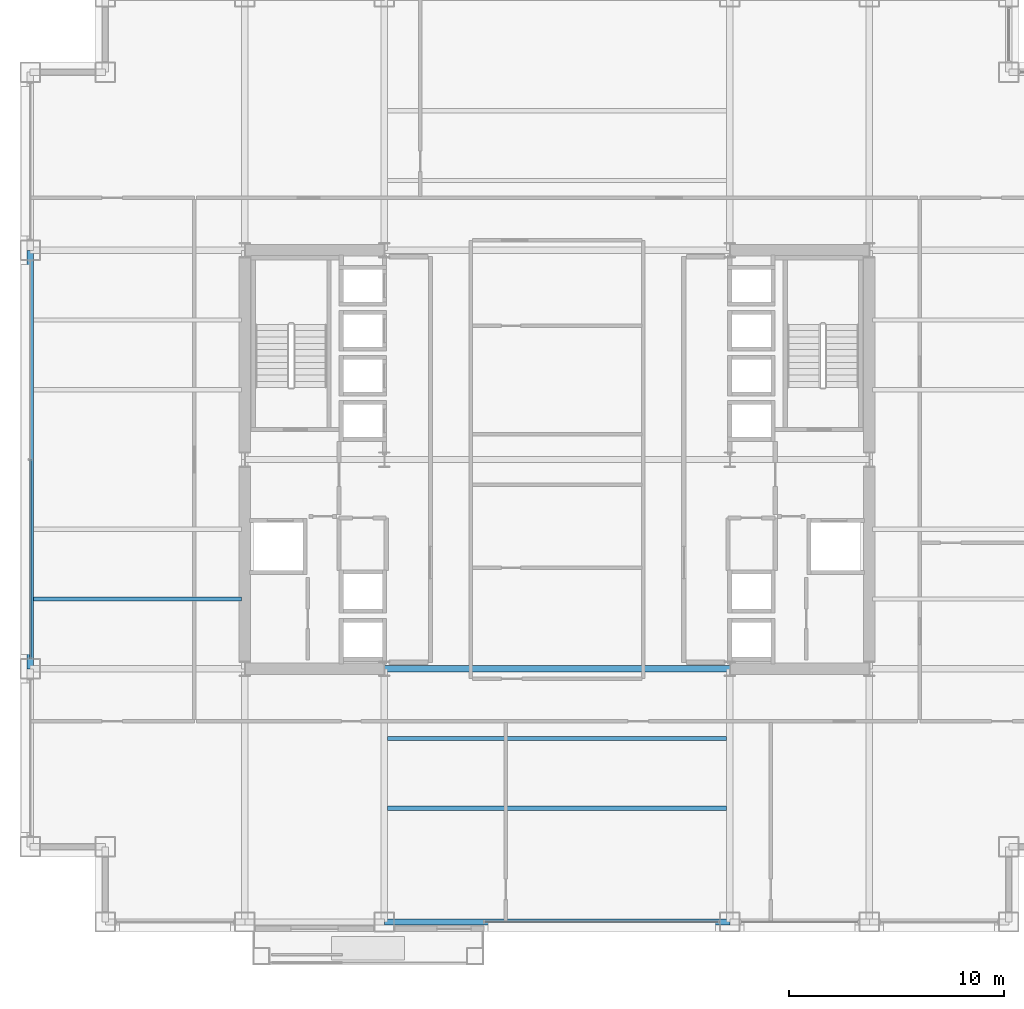
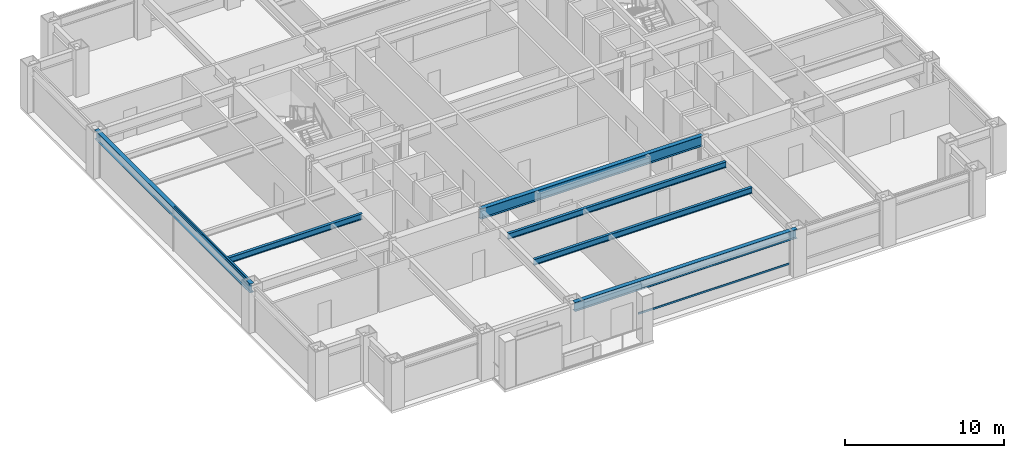
# One storey, part 6 of 31: 6 beams, 2 members, 2 elements without a shape of their own.
"""IFC4 building model written with IfcOpenShell, lengths in metres."""

import ifcopenshell
import ifcopenshell.guid

model = None  # the IFC model being written
_history = None  # IfcOwnerHistory: only IFC2X3 demands one
_inside = {}  # id of a spatial element -> (the spatial element, [elements in it])
_under = {}  # id of a project, library or spatial element -> (it, [spatial elements below it])
_declared = {}  # id of a project -> (the project, [libraries it declares])
_typed = {}  # id of a type object -> (the type object, [elements of that type])
_made_of = {}  # id of a material, layer set ... -> (it, [elements and type objects made of it])


def new_model(schema):
    """Start an empty IFC model of exactly this schema.

    Asked for "IFC4X3", IfcOpenShell would pick the latest addendum, in which some entities
    have other attributes; the version numbers below select the first issue.
    IFC2X3 requires an IfcOwnerHistory on every rooted entity: one is made here for all.
    """
    global model, _history
    if schema == "IFC4X3":
        model = ifcopenshell.file(schema_version=(4, 3, 0, 0))
    else:
        model = ifcopenshell.file(schema=schema)
    _inside.clear()
    _under.clear()
    _declared.clear()
    _typed.clear()
    _made_of.clear()
    _history = None
    if model.schema == "IFC2X3":
        org = make("IfcOrganization", Name="unknown")
        user = make(
            "IfcPersonAndOrganization",
            ThePerson=make("IfcPerson", FamilyName="unknown"),
            TheOrganization=org,
        )
        app = make(
            "IfcApplication",
            ApplicationDeveloper=org,
            Version="unknown",
            ApplicationFullName="unknown",
            ApplicationIdentifier="unknown",
        )
        _history = make(
            "IfcOwnerHistory",
            OwningUser=user,
            OwningApplication=app,
            ChangeAction="ADDED",
            CreationDate=0,
        )
    return model


def make(cls, **values):
    """One entity of the class cls with the attributes given. An attribute that is None is left unset."""
    return model.create_entity(
        cls, **{name: value for name, value in values.items() if value is not None}
    )


def rooted(cls, **values):
    """An entity with a GlobalId (a new one), such as an element, a storey or a relation."""
    return make(cls, GlobalId=ifcopenshell.guid.new(), OwnerHistory=_history, **values)


def si_unit(unit_type, name, prefix=None):
    """IfcSIUnit, for example si_unit("LENGTHUNIT", "METRE", prefix="MILLI")."""
    return make("IfcSIUnit", UnitType=unit_type, Prefix=prefix, Name=name)


def assignment(units):
    """IfcUnitAssignment: the units of a project."""
    return None if units is None else make("IfcUnitAssignment", Units=units)


def point(xyz):
    """IfcCartesianPoint."""
    return None if xyz is None else make("IfcCartesianPoint", Coordinates=xyz)


def direction(xyz):
    """IfcDirection."""
    return None if xyz is None else make("IfcDirection", DirectionRatios=xyz)


def frame(location, z_axis=None, x_axis=None):
    """IfcAxis2Placement3D, a coordinate frame: its origin and axes. An axis left out is left unset."""
    return make(
        "IfcAxis2Placement3D",
        Location=point(location),
        Axis=direction(z_axis),
        RefDirection=direction(x_axis),
    )


def frame_2d(location, x_axis=None):
    """IfcAxis2Placement2D, a coordinate frame in the plane: its origin and x axis."""
    return make(
        "IfcAxis2Placement2D", Location=point(location), RefDirection=direction(x_axis)
    )


def origin():
    """The frame at (0, 0, 0) with its axes left unset."""
    return frame((0.0, 0.0, 0.0))


def origin_2d():
    """The frame at (0, 0) in the plane with its x axis left unset."""
    return frame_2d((0.0, 0.0))


def place(relative_to, where):
    """IfcLocalPlacement: puts the frame where relative to a parent placement (None: the world)."""
    return make(
        "IfcLocalPlacement", PlacementRelTo=relative_to, RelativePlacement=where
    )


def context(
    kind, dimensions, precision=None, world=None, true_north=None, identifier=None
):
    """IfcGeometricRepresentationContext, for example the 3D "Model" context."""
    return make(
        "IfcGeometricRepresentationContext",
        ContextIdentifier=identifier,
        ContextType=kind,
        CoordinateSpaceDimension=dimensions,
        Precision=precision,
        WorldCoordinateSystem=world,
        TrueNorth=true_north,
    )


def subcontext(parent, identifier, kind, view, scale=None):
    """IfcGeometricRepresentationSubContext, for example "Body" below "Model"."""
    return make(
        "IfcGeometricRepresentationSubContext",
        ContextIdentifier=identifier,
        ContextType=kind,
        ParentContext=parent,
        TargetScale=scale,
        TargetView=view,
    )


def project(units=None, contexts=None):
    """IfcProject with its units and contexts."""
    return rooted(
        "IfcProject",
        Name="project",
        RepresentationContexts=contexts,
        UnitsInContext=assignment(units),
    )


def spatial(cls, under=None, at=None, **own):
    """A site, building, storey or space (cls), placed at a placement, below another one or the project."""
    s = rooted(cls, ObjectPlacement=at, **own)
    if under is not None:
        _under.setdefault(under.id(), (under, []))[1].append(s)
    return s


def profile(cls, at=None, kind="AREA", **sizes):
    """A parametric profile (cls). Its sizes go by their IFC names, for example OverallWidth=200.0."""
    return make(cls, ProfileType=kind, Position=at, **sizes)


def hollow_rectangle(**sizes):
    """IfcRectangleHollowProfileDef."""
    return profile("IfcRectangleHollowProfileDef", **sizes)


def i_section(**sizes):
    """IfcIShapeProfileDef."""
    return profile("IfcIShapeProfileDef", **sizes)


def extrude(swept, where, along, depth):
    """IfcExtrudedAreaSolid: the profile swept, set in the frame where, extruded along a direction by depth."""
    return make(
        "IfcExtrudedAreaSolid",
        SweptArea=swept,
        Position=where,
        ExtrudedDirection=direction(along),
        Depth=depth,
    )


def shape(context_of_items, identifier, shape_type, items):
    """IfcShapeRepresentation: the items that make up one representation, for example the "Body"."""
    return make(
        "IfcShapeRepresentation",
        ContextOfItems=context_of_items,
        RepresentationIdentifier=identifier,
        RepresentationType=shape_type,
        Items=items,
    )


def material(Name=None, Category=None):
    """IfcMaterial."""
    return make("IfcMaterial", Name=Name, Category=Category)


def layer(
    of_material, thickness, ventilated=None, Name=None, Category=None, Priority=None
):
    """IfcMaterialLayer: one layer of a wall or slab, of a material (None: an air gap)."""
    return make(
        "IfcMaterialLayer",
        Material=of_material,
        LayerThickness=thickness,
        IsVentilated=ventilated,
        Name=Name,
        Category=Category,
        Priority=Priority,
    )


def layer_set(layers, Name=None):
    """IfcMaterialLayerSet."""
    return make("IfcMaterialLayerSet", MaterialLayers=layers, LayerSetName=Name)


def material_profile(
    of_material, cross_section, Name=None, Category=None, Priority=None
):
    """IfcMaterialProfile: a cross section and its material."""
    return make(
        "IfcMaterialProfile",
        Name=Name,
        Material=of_material,
        Profile=cross_section,
        Priority=Priority,
        Category=Category,
    )


def profile_set(profiles, Name=None, composite=None):
    """IfcMaterialProfileSet."""
    return make(
        "IfcMaterialProfileSet",
        Name=Name,
        MaterialProfiles=profiles,
        CompositeProfile=composite,
    )


def made_of(thing, what):
    """Note that an element or type object is made of a material, layer set ...; save() writes the relation."""
    if what is not None:
        _made_of.setdefault(what.id(), (what, []))[1].append(thing)
    return thing


def type_object(cls, material=None, **own):
    """A type object (cls), such as IfcWallType, which elements share."""
    return made_of(rooted(cls, **own), material)


def element(
    cls,
    number,
    at=None,
    inside=None,
    cuts=None,
    type_object=None,
    material=None,
    context=None,
    identifier="Body",
    shape_type=None,
    held_by="IfcProductDefinitionShape",
    body=None,
    shapes=None,
    **own,
):
    """One element of the class cls, such as IfcWall. Its Tag is "e" and its number.

    at: its placement. inside: the storey or other place that contains it. cuts: it is an
    opening in that element (IfcRelVoidsElement). A single representation is given by context,
    identifier, shape_type and body (its items); several are given by shapes. held_by: the class
    of the entity that holds the representations. save() writes the other relations.
    """
    e = rooted(cls, Tag="e%d" % number, ObjectPlacement=at, **own)
    if body is not None:
        shapes = [shape(context, identifier, shape_type, body)]
    if shapes is not None:
        e.Representation = make(held_by, Representations=shapes)
    if inside is not None:
        _inside.setdefault(inside.id(), (inside, []))[1].append(e)
    if cuts is not None:
        rooted(
            "IfcRelVoidsElement", RelatingBuildingElement=cuts, RelatedOpeningElement=e
        )
    if type_object is not None:
        _typed.setdefault(type_object.id(), (type_object, []))[1].append(e)
    return made_of(e, material)


def aggregate(whole, parts):
    """IfcRelAggregates: a whole, such as a stair, and the parts it consists of."""
    return rooted("IfcRelAggregates", RelatingObject=whole, RelatedObjects=parts)


def save(model, path):
    """Write the relations noted so far, then the file.

    IfcRelAggregates (storeys below a building ...), IfcRelContainedInSpatialStructure (elements
    in a storey), IfcRelDefinesByType, IfcRelAssociatesMaterial and IfcRelDeclares: one each for
    every whole, place, type object, material and project.
    """
    for whole, parts in _under.values():
        aggregate(whole, parts)
    for where, things in _inside.values():
        rooted(
            "IfcRelContainedInSpatialStructure",
            RelatedElements=things,
            RelatingStructure=where,
        )
    for kind, things in _typed.values():
        rooted("IfcRelDefinesByType", RelatedObjects=things, RelatingType=kind)
    for what, things in _made_of.values():
        rooted("IfcRelAssociatesMaterial", RelatedObjects=things, RelatingMaterial=what)
    for by, libraries in _declared.values():
        rooted("IfcRelDeclares", RelatingContext=by, RelatedDefinitions=libraries)
    model.write(path)


model = new_model("IFC4")

# Units and contexts
model_context = context("Model", 3, precision=1e-05, world=origin(), true_north=direction((0.0, 1.0)))
body_context = subcontext(model_context, "Body", "Model", "MODEL_VIEW")
ifc_project = project(units=[si_unit("LENGTHUNIT", "METRE"), si_unit("AREAUNIT", "SQUARE_METRE"), si_unit("VOLUMEUNIT", "CUBIC_METRE"), si_unit("PLANEANGLEUNIT", "RADIAN"), si_unit("MASSUNIT", "GRAM", prefix="KILO")], contexts=[model_context])

# Site, building, storey
site_placement = place(None, origin())
site = spatial("IfcSite", under=ifc_project, at=site_placement, CompositionType="ELEMENT")
building_placement = place(site_placement, origin())
building = spatial("IfcBuilding", under=site, at=building_placement, Name="Brelmoor Portico Tower", CompositionType="ELEMENT")
storey_placement = place(building_placement, frame((0.0, 0.0, 31.199951171875)))
storey = spatial("IfcBuildingStorey", under=building, at=storey_placement, Name="L07", CompositionType="ELEMENT", Elevation=31.199951171875)

# Beams
ifc_material_1 = material(Name="Steel Q355B", Category="steel")
ifc_material_profile_1 = material_profile(ifc_material_1, i_section(OverallWidth=0.199951171875, OverallDepth=0.449951171875, WebThickness=0.009033203125, FlangeThickness=0.013916015625, at=origin_2d()), Name="HN 450x200x9x14")
ifc_profile_set_1 = profile_set([ifc_material_profile_1], Name="Steel Q355B")
beam_type_1 = type_object("IfcBeamType", Name="BM-JS-450", PredefinedType="JOIST", material=ifc_profile_set_1)
for number, where, z_axis, x_axis, name in (
    (1, (-7.89990234375, -16.25, 3.175048828125), (1.0, 0.0, 0.0), (0.0, 1.0, 0.0), "L07 Secondary Composite Joist JS-C01"),
    (2, (-7.89990234375, -13.0, 3.175048828125), (1.0, 0.0, 0.0), (0.0, 1.0, 0.0), "L07 Secondary Composite Joist JS-C02"),
):
    element("IfcBeam", number, at=place(storey_placement, frame(where, z_axis=z_axis, x_axis=x_axis)), inside=storey, type_object=beam_type_1, Name=name, PredefinedType="JOIST", context=body_context, shape_type="SweptSolid", body=[
        extrude(i_section(OverallWidth=0.199951171875, OverallDepth=0.449951171875, WebThickness=0.009033203125, FlangeThickness=0.013916015625, at=origin_2d()), origin(), (0.0, 0.0, 1.0), 15.7998046875),
    ])
beam_1_placement = place(storey_placement, frame((-24.39990234375, -6.5, 3.175048828125), z_axis=(1.0, 0.0, 0.0), x_axis=(0.0, 1.0, 0.0)))
element("IfcBeam", 3, at=beam_1_placement, inside=storey, type_object=beam_type_1, Name="L07 Secondary Wing Joist JS-W05", PredefinedType="JOIST", context=body_context, shape_type="SweptSolid", body=[
    extrude(i_section(OverallWidth=0.199951171875, OverallDepth=0.449951171875, WebThickness=0.009033203125, FlangeThickness=0.013916015625, at=origin_2d()), origin(), (0.0, 0.0, 1.0), 9.699951171875),
])
ifc_material_profile_2 = material_profile(ifc_material_1, i_section(OverallWidth=0.300048828125, OverallDepth=0.800048828125, WebThickness=0.013916015625, FlangeThickness=0.02587890625, at=origin_2d()), Name="HN 800x300x14x26")
ifc_profile_set_2 = profile_set([ifc_material_profile_2], Name="Steel Q355B")
beam_type_2 = type_object("IfcBeamType", Name="BM-PG-800", PredefinedType="BEAM", material=ifc_profile_set_2)
beam_2_placement = place(storey_placement, frame((-8.050048828125, -9.75, 3.0), z_axis=(1.0, 0.0, 0.0), x_axis=(0.0, 1.0, 0.0)))
element("IfcBeam", 4, at=beam_2_placement, inside=storey, type_object=beam_type_2, Name="L07 Primary Floor Girder PG-21", PredefinedType="BEAM", context=body_context, shape_type="SweptSolid", body=[
    extrude(i_section(OverallWidth=0.300048828125, OverallDepth=0.800048828125, WebThickness=0.013916015625, FlangeThickness=0.02587890625, at=origin_2d()), origin(), (0.0, 0.0, 1.0), 16.10009765625),
])
ifc_material_profile_3 = material_profile(ifc_material_1, i_section(OverallWidth=0.300048828125, OverallDepth=0.699951171875, WebThickness=0.012939453125, FlangeThickness=0.02392578125, at=origin_2d()), Name="HN 700x300x13x24")
ifc_profile_set_3 = profile_set([ifc_material_profile_3], Name="Steel Q355B")
beam_type_3 = type_object("IfcBeamType", Name="BM-SP-700", PredefinedType="SPANDREL", material=ifc_profile_set_3)
beam_3_placement = place(storey_placement, frame((-8.050048828125, -21.550048828125, 3.050048828125), z_axis=(1.0, 0.0, 0.0), x_axis=(0.0, 1.0, 0.0)))
element("IfcBeam", 5, at=beam_3_placement, inside=storey, type_object=beam_type_3, Name="L07 Perimeter Spandrel Beam SP-03", PredefinedType="SPANDREL", context=body_context, shape_type="SweptSolid", body=[
    extrude(i_section(OverallWidth=0.300048828125, OverallDepth=0.699951171875, WebThickness=0.012939453125, FlangeThickness=0.02392578125, at=origin_2d()), origin(), (0.0, 0.0, 1.0), 16.10009765625),
])
beam_4_placement = place(storey_placement, frame((-24.550048828125, -9.75, 3.050048828125), z_axis=(0.0, 1.0, 0.0), x_axis=(-1.0, 0.0, 0.0)))
element("IfcBeam", 6, at=beam_4_placement, inside=storey, type_object=beam_type_3, Name="L07 Perimeter Spandrel Beam SP-16", PredefinedType="SPANDREL", context=body_context, shape_type="SweptSolid", body=[
    extrude(i_section(OverallWidth=0.300048828125, OverallDepth=0.699951171875, WebThickness=0.012939453125, FlangeThickness=0.02392578125, at=origin_2d()), origin(), (0.0, 0.0, 1.0), 19.5),
])

# Curtain wall, member
ifc_material_2 = material(Name="Anodised Aluminium Alloy 6063-T6", Category="aluminium")
ifc_layer_1 = layer(ifc_material_2, 0.179931640625)
ifc_layer_set_1 = layer_set([ifc_layer_1], Name="Anodised Aluminium Alloy 6063-T6")
curtain_wall_type_1 = type_object("IfcCurtainWallType", Name="CW-TOWER-Z1", PredefinedType="NOTDEFINED", material=ifc_layer_set_1)
curtain_wall_1_placement = place(storey_placement, origin())
curtain_wall_1 = element("IfcCurtainWall", 7, at=curtain_wall_1_placement, inside=storey, type_object=curtain_wall_type_1, Name="L07 Curtain Wall CW-L07-1R-1", PredefinedType="NOTDEFINED")
ifc_material_profile_4 = material_profile(ifc_material_2, hollow_rectangle(XDim=0.06494140625, YDim=0.139892578125, WallThickness=0.00390625, at=origin_2d()), Name="ALU TRANSOM 65x140")
ifc_profile_set_4 = profile_set([ifc_material_profile_4], Name="Anodised Aluminium Alloy 6063-T6")
member_type = type_object("IfcMemberType", Name="MB-CW-TRAN-140", PredefinedType="USERDEFINED", material=ifc_profile_set_4)
member_1_placement = place(storey_placement, frame((-3.39990234375, -21.550048828125, 0.85009765625), z_axis=(1.0, 0.0, 0.0), x_axis=(0.0, 1.0, 0.0)))
member_1 = element("IfcMember", 8, at=member_1_placement, type_object=member_type, Name="CW-L07-1R-1 Transom 1-00", ObjectType="TRANSOM", PredefinedType="USERDEFINED", context=body_context, shape_type="SweptSolid", body=[
    extrude(hollow_rectangle(XDim=0.06494140625, YDim=0.139892578125, WallThickness=0.00390625, at=origin_2d()), origin(), (0.0, 0.0, 1.0), 10.96484375),
])
aggregate(curtain_wall_1, [member_1])

ifc_layer_2 = layer(ifc_material_2, 0.179931640625)
ifc_layer_set_2 = layer_set([ifc_layer_2], Name="Anodised Aluminium Alloy 6063-T6")
curtain_wall_type_2 = type_object("IfcCurtainWallType", Name="CW-TOWER-Z1-XB", PredefinedType="NOTDEFINED", material=ifc_layer_set_2)
curtain_wall_2_placement = place(storey_placement, origin())
curtain_wall_2 = element("IfcCurtainWall", 9, at=curtain_wall_2_placement, inside=storey, type_object=curtain_wall_type_2, Name="L07 Curtain Wall CW-L07-03-2", PredefinedType="NOTDEFINED")
member_2_placement = place(storey_placement, frame((-24.550048828125, -9.264892578125, 3.330078125), z_axis=(0.0, 1.0, 0.0), x_axis=(-1.0, 0.0, 0.0)))
member_2 = element("IfcMember", 10, at=member_2_placement, type_object=member_type, Name="CW-L07-03-2 Transom 1-00", ObjectType="TRANSOM", PredefinedType="USERDEFINED", context=body_context, shape_type="SweptSolid", body=[
    extrude(hollow_rectangle(XDim=0.06494140625, YDim=0.139892578125, WallThickness=0.00390625, at=origin_2d()), origin(), (0.0, 0.0, 1.0), 9.264892578125),
])
aggregate(curtain_wall_2, [member_2])

save(model, "model.ifc")
